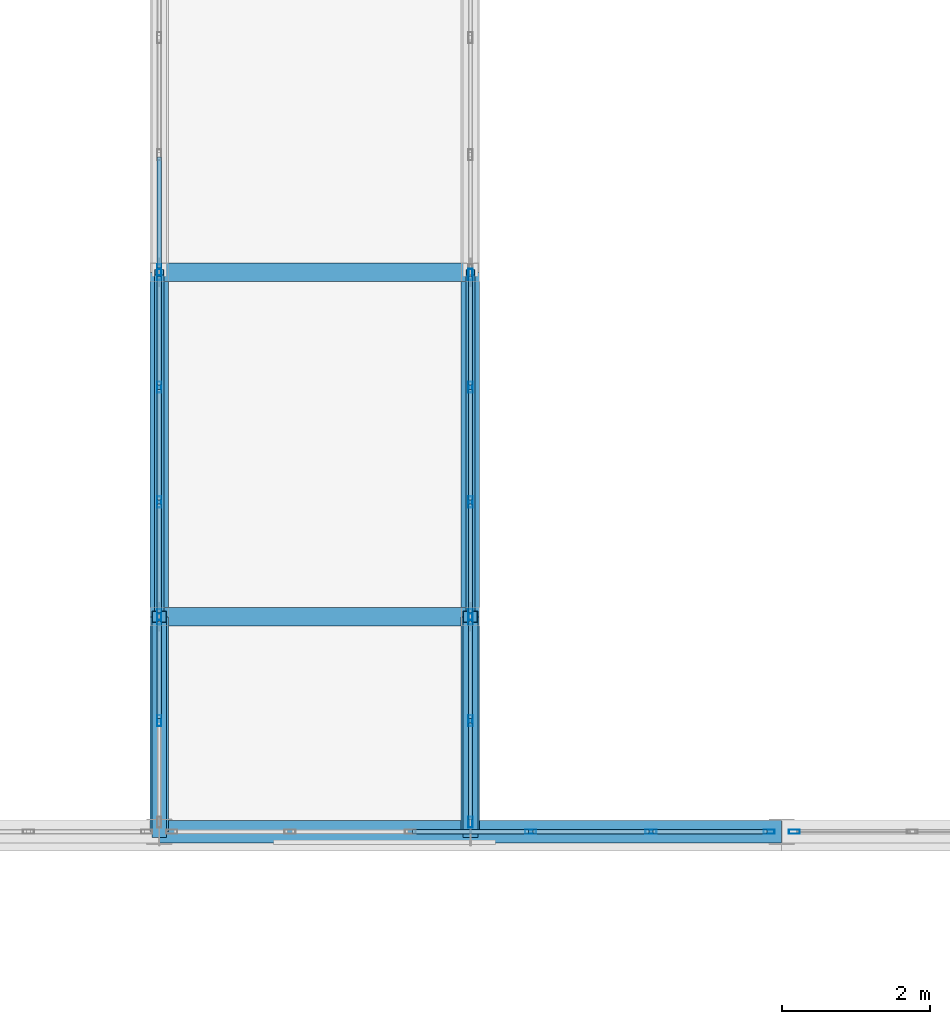
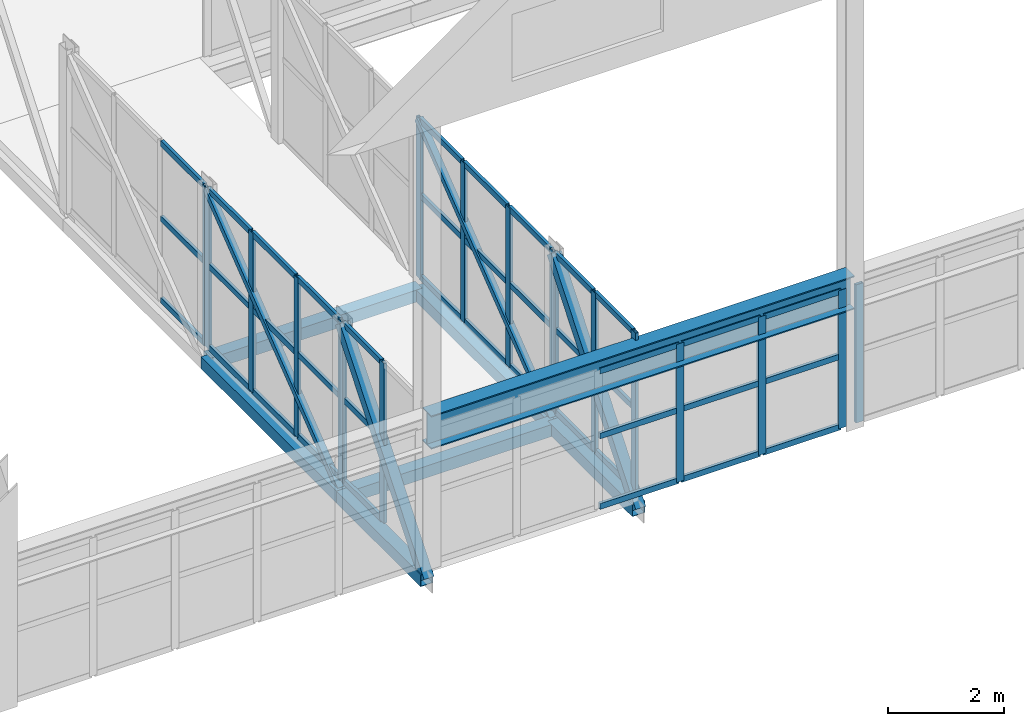
# One storey, part 81 of 218: 67 members, 1 beam, 7 elements without a shape of their own.
"""IFC4 building model written with IfcOpenShell, lengths in metres."""

from ifc_helpers import new_model, si_unit, direction, frame, origin, origin_2d, place, context, subcontext, project, spatial, hollow_rectangle, i_section, extrude, material, material_profile, profile_set, type_object, element, aggregate, save


model = new_model("IFC4")

# Units and contexts
model_context = context("Model", 3, precision=1e-05, world=origin(), true_north=direction((0.0, 1.0)))
body_context = subcontext(model_context, "Body", "Model", "MODEL_VIEW")
ifc_project = project(units=[si_unit("LENGTHUNIT", "METRE"), si_unit("AREAUNIT", "SQUARE_METRE"), si_unit("VOLUMEUNIT", "CUBIC_METRE"), si_unit("PLANEANGLEUNIT", "RADIAN"), si_unit("MASSUNIT", "GRAM", prefix="KILO")], contexts=[model_context])

# Site, building, storey
site_placement = place(None, origin())
site = spatial("IfcSite", under=ifc_project, at=site_placement, CompositionType="ELEMENT")
building_placement = place(site_placement, origin())
building = spatial("IfcBuilding", under=site, at=building_placement, Name="Kazenagashi Tramway Depot", CompositionType="ELEMENT")
storey_placement = place(building_placement, frame((0.0, 0.0, 6.0)))
storey = spatial("IfcBuildingStorey", under=building, at=storey_placement, Name="L02", CompositionType="ELEMENT", Elevation=6.0)

# Members
ifc_material_1 = material(Name="Steel STKR490", Category="steel")
ifc_material_profile_1 = material_profile(ifc_material_1, hollow_rectangle(XDim=0.2, YDim=0.2, WallThickness=0.009, at=origin_2d()), Name="SHS-200x200x9")
ifc_profile_set_1 = profile_set([ifc_material_profile_1], Name="Steel STKR490")
member_type_1 = type_object("IfcMemberType", Name="BR-01", PredefinedType="BRACE", material=ifc_profile_set_1)
for number, where, z_axis, x_axis, name in (
    (1, (86.8, 54.9, -0.305), (0.0, 0.625747040243, 0.78002605189), (-1.0, 0.0, 0.0), "Link Bridge Truss BR-01 MEM-1562"),
    (2, (91.0, 54.9, -0.305), (0.0, 0.625747040243, 0.78002605189), (-1.0, 0.0, 0.0), "Link Bridge Truss BR-01 MEM-1574"),
):
    element("IfcMember", number, at=place(storey_placement, frame(where, z_axis=z_axis, x_axis=x_axis)), inside=storey, type_object=member_type_1, Name=name, PredefinedType="BRACE", context=body_context, shape_type="SweptSolid", body=[
        extrude(hollow_rectangle(XDim=0.2, YDim=0.2, WallThickness=0.009, at=origin_2d()), origin(), (0.0, 0.0, 1.0), 4.634461),
    ])
ifc_material_2 = material(Name="Steel STKR400", Category="steel")
ifc_material_profile_2 = material_profile(ifc_material_2, hollow_rectangle(XDim=0.125, YDim=0.125, WallThickness=0.006, at=origin_2d()), Name="SHS-125x125x6")
ifc_profile_set_2 = profile_set([ifc_material_profile_2], Name="Steel STKR400")
member_type_2 = type_object("IfcMemberType", Name="BR-05", PredefinedType="BRACE", material=ifc_profile_set_2)
for number, where, z_axis, x_axis, name in (
    (3, (86.8, 57.8, -0.305), (0.0, 0.789489329827, 0.613764285446), (-1.0, 0.0, 0.0), "Link Bridge Truss BR-05 MEM-1565"),
    (4, (91.0, 57.8, -0.305), (0.0, 0.789489329827, 0.613764285446), (-1.0, 0.0, 0.0), "Link Bridge Truss BR-05 MEM-1577"),
):
    element("IfcMember", number, at=place(storey_placement, frame(where, z_axis=z_axis, x_axis=x_axis)), inside=storey, type_object=member_type_2, Name=name, PredefinedType="BRACE", context=body_context, shape_type="SweptSolid", body=[
        extrude(hollow_rectangle(XDim=0.125, YDim=0.125, WallThickness=0.006, at=origin_2d()), origin(), (0.0, 0.0, 1.0), 5.889883),
    ])

# Beam
ifc_material_3 = material(Name="Steel SN490B", Category="steel")
ifc_material_profile_3 = material_profile(ifc_material_3, i_section(OverallWidth=0.3, OverallDepth=0.7, WebThickness=0.013, FlangeThickness=0.024, at=origin_2d()), Name="H-700x300x13x24")
ifc_profile_set_3 = profile_set([ifc_material_profile_3], Name="Steel SN490B")
beam_type = type_object("IfcBeamType", Name="G-02", PredefinedType="BEAM", material=ifc_profile_set_3)
beam_placement = place(storey_placement, frame((86.8, 54.9, 2.85), z_axis=(1.0, 0.0, 0.0), x_axis=(0.0, 1.0, 0.0)))
element("IfcBeam", 5, at=beam_placement, inside=storey, type_object=beam_type, Name="Beam G-02 BM-1178", PredefinedType="BEAM", context=body_context, shape_type="SweptSolid", body=[
    extrude(i_section(OverallWidth=0.3, OverallDepth=0.7, WebThickness=0.013, FlangeThickness=0.024, at=origin_2d()), origin(), (0.0, 0.0, 1.0), 8.4),
])

# Curtain wall, members
ifc_material_4 = material(Name="Anodised Aluminium and Low-E Glazing", Category="aluminium")
curtain_wall_type_1 = type_object("IfcCurtainWallType", Name="CW-21", PredefinedType="USERDEFINED", material=ifc_material_4)
curtain_wall_1_placement = place(storey_placement, origin())
curtain_wall_1 = element("IfcCurtainWall", 6, at=curtain_wall_1_placement, inside=storey, type_object=curtain_wall_type_1, Name="Industrial Glazed Screen CW-21 CW-0112", ObjectType="GLAZED SCREEN", PredefinedType="USERDEFINED")
ifc_material_5 = material(Name="Anodised Aluminium", Category="aluminium")
ifc_material_profile_4 = material_profile(ifc_material_5, hollow_rectangle(XDim=0.06, YDim=0.15, WallThickness=0.004, at=origin_2d()), Name="RHS-150x60x4")
ifc_profile_set_4 = profile_set([ifc_material_profile_4], Name="Anodised Aluminium")
member_type_3 = type_object("IfcMemberType", Name="ML-01", PredefinedType="MULLION", material=ifc_profile_set_4)
member_1_placement = place(storey_placement, frame((91.812, 54.9, 0.0), z_axis=(0.0, 0.0, 1.0), x_axis=(0.0, 1.0, 0.0)))
member_1 = element("IfcMember", 7, at=member_1_placement, type_object=member_type_3, Name="CW-21 mullion 4", PredefinedType="MULLION", context=body_context, shape_type="SweptSolid", body=[
    extrude(hollow_rectangle(XDim=0.06, YDim=0.15, WallThickness=0.004, at=origin_2d()), origin(), (0.0, 0.0, 1.0), 2.9),
])
member_2_placement = place(storey_placement, frame((93.436, 54.9, 0.0), z_axis=(0.0, 0.0, 1.0), x_axis=(0.0, 1.0, 0.0)))
member_2 = element("IfcMember", 8, at=member_2_placement, type_object=member_type_3, Name="CW-21 mullion 5", PredefinedType="MULLION", context=body_context, shape_type="SweptSolid", body=[
    extrude(hollow_rectangle(XDim=0.06, YDim=0.15, WallThickness=0.004, at=origin_2d()), origin(), (0.0, 0.0, 1.0), 2.9),
])
member_3_placement = place(storey_placement, frame((95.03, 54.9, 0.0), z_axis=(0.0, 0.0, 1.0), x_axis=(0.0, 1.0, 0.0)))
member_3 = element("IfcMember", 9, at=member_3_placement, type_object=member_type_3, Name="CW-21 mullion 6", PredefinedType="MULLION", context=body_context, shape_type="SweptSolid", body=[
    extrude(hollow_rectangle(XDim=0.06, YDim=0.15, WallThickness=0.004, at=origin_2d()), origin(), (0.0, 0.0, 1.0), 2.9),
])

# Curtain wall, member
curtain_wall_2_placement = place(storey_placement, origin())
curtain_wall_2 = element("IfcCurtainWall", 10, at=curtain_wall_2_placement, inside=storey, type_object=curtain_wall_type_1, Name="Industrial Glazed Screen CW-21 CW-0113", ObjectType="GLAZED SCREEN", PredefinedType="USERDEFINED")
member_4_placement = place(storey_placement, frame((95.37, 54.9, 0.0), z_axis=(0.0, 0.0, 1.0), x_axis=(0.0, 1.0, 0.0)))
member_4 = element("IfcMember", 11, at=member_4_placement, type_object=member_type_3, Name="CW-21 mullion 1", PredefinedType="MULLION", context=body_context, shape_type="SweptSolid", body=[
    extrude(hollow_rectangle(XDim=0.06, YDim=0.15, WallThickness=0.004, at=origin_2d()), origin(), (0.0, 0.0, 1.0), 2.9),
])
aggregate(curtain_wall_2, [member_4])

# Curtain wall, members
curtain_wall_type_2 = type_object("IfcCurtainWallType", Name="CW-27", PredefinedType="USERDEFINED", material=ifc_material_4)
curtain_wall_3_placement = place(storey_placement, origin())
curtain_wall_3 = element("IfcCurtainWall", 12, at=curtain_wall_3_placement, inside=storey, type_object=curtain_wall_type_2, Name="Industrial Glazed Screen CW-27 CW-0151", ObjectType="GLAZED SCREEN", PredefinedType="USERDEFINED")
member_5_placement = place(storey_placement, frame((86.8, 56.4, 0.0), z_axis=(0.0, 0.0, 1.0), x_axis=(-1.0, 0.0, 0.0)))
member_5 = element("IfcMember", 13, at=member_5_placement, type_object=member_type_3, Name="CW-27 mullion 2", PredefinedType="MULLION", context=body_context, shape_type="SweptSolid", body=[
    extrude(hollow_rectangle(XDim=0.06, YDim=0.15, WallThickness=0.004, at=origin_2d()), origin(), (0.0, 0.0, 1.0), 3.35),
])
member_6_placement = place(storey_placement, frame((86.8, 57.77, 0.0), z_axis=(0.0, 0.0, 1.0), x_axis=(-1.0, 0.0, 0.0)))
member_6 = element("IfcMember", 14, at=member_6_placement, type_object=member_type_3, Name="CW-27 mullion 3", PredefinedType="MULLION", context=body_context, shape_type="SweptSolid", body=[
    extrude(hollow_rectangle(XDim=0.06, YDim=0.15, WallThickness=0.004, at=origin_2d()), origin(), (0.0, 0.0, 1.0), 3.35),
])

curtain_wall_type_3 = type_object("IfcCurtainWallType", Name="CW-28", PredefinedType="USERDEFINED", material=ifc_material_4)
curtain_wall_4_placement = place(storey_placement, origin())
curtain_wall_4 = element("IfcCurtainWall", 15, at=curtain_wall_4_placement, inside=storey, type_object=curtain_wall_type_3, Name="Industrial Glazed Screen CW-28 CW-0152", ObjectType="GLAZED SCREEN", PredefinedType="USERDEFINED")
member_7_placement = place(storey_placement, frame((86.8, 57.83, 0.0), z_axis=(0.0, 0.0, 1.0), x_axis=(-1.0, 0.0, 0.0)))
member_7 = element("IfcMember", 16, at=member_7_placement, type_object=member_type_3, Name="CW-28 mullion 1", PredefinedType="MULLION", context=body_context, shape_type="SweptSolid", body=[
    extrude(hollow_rectangle(XDim=0.06, YDim=0.15, WallThickness=0.004, at=origin_2d()), origin(), (0.0, 0.0, 1.0), 3.35),
])
member_8_placement = place(storey_placement, frame((86.8, 59.35, 0.0), z_axis=(0.0, 0.0, 1.0), x_axis=(-1.0, 0.0, 0.0)))
member_8 = element("IfcMember", 17, at=member_8_placement, type_object=member_type_3, Name="CW-28 mullion 2", PredefinedType="MULLION", context=body_context, shape_type="SweptSolid", body=[
    extrude(hollow_rectangle(XDim=0.06, YDim=0.15, WallThickness=0.004, at=origin_2d()), origin(), (0.0, 0.0, 1.0), 3.35),
])
member_9_placement = place(storey_placement, frame((86.8, 60.9, 0.0), z_axis=(0.0, 0.0, 1.0), x_axis=(-1.0, 0.0, 0.0)))
member_9 = element("IfcMember", 18, at=member_9_placement, type_object=member_type_3, Name="CW-28 mullion 3", PredefinedType="MULLION", context=body_context, shape_type="SweptSolid", body=[
    extrude(hollow_rectangle(XDim=0.06, YDim=0.15, WallThickness=0.004, at=origin_2d()), origin(), (0.0, 0.0, 1.0), 3.35),
])
member_10_placement = place(storey_placement, frame((86.8, 62.42, 0.0), z_axis=(0.0, 0.0, 1.0), x_axis=(-1.0, 0.0, 0.0)))
member_10 = element("IfcMember", 19, at=member_10_placement, type_object=member_type_3, Name="CW-28 mullion 4", PredefinedType="MULLION", context=body_context, shape_type="SweptSolid", body=[
    extrude(hollow_rectangle(XDim=0.06, YDim=0.15, WallThickness=0.004, at=origin_2d()), origin(), (0.0, 0.0, 1.0), 3.35),
])

# Curtain wall, member
curtain_wall_type_4 = type_object("IfcCurtainWallType", Name="CW-29", PredefinedType="USERDEFINED", material=ifc_material_4)
curtain_wall_5_placement = place(storey_placement, origin())
curtain_wall_5 = element("IfcCurtainWall", 20, at=curtain_wall_5_placement, inside=storey, type_object=curtain_wall_type_4, Name="Industrial Glazed Screen CW-29 CW-0153", ObjectType="GLAZED SCREEN", PredefinedType="USERDEFINED")
member_11_placement = place(storey_placement, frame((86.8, 62.48, 0.0), z_axis=(0.0, 0.0, 1.0), x_axis=(-1.0, 0.0, 0.0)))
member_11 = element("IfcMember", 21, at=member_11_placement, type_object=member_type_3, Name="CW-29 mullion 1", PredefinedType="MULLION", context=body_context, shape_type="SweptSolid", body=[
    extrude(hollow_rectangle(XDim=0.06, YDim=0.15, WallThickness=0.004, at=origin_2d()), origin(), (0.0, 0.0, 1.0), 3.35),
])

# Curtain wall, members
curtain_wall_6_placement = place(storey_placement, origin())
curtain_wall_6 = element("IfcCurtainWall", 22, at=curtain_wall_6_placement, inside=storey, type_object=curtain_wall_type_2, Name="Industrial Glazed Screen CW-27 CW-0154", ObjectType="GLAZED SCREEN", PredefinedType="USERDEFINED")
member_12_placement = place(storey_placement, frame((91.0, 55.03, 0.0), z_axis=(0.0, 0.0, 1.0), x_axis=(-1.0, 0.0, 0.0)))
member_12 = element("IfcMember", 23, at=member_12_placement, type_object=member_type_3, Name="CW-27 mullion 1", PredefinedType="MULLION", context=body_context, shape_type="SweptSolid", body=[
    extrude(hollow_rectangle(XDim=0.06, YDim=0.15, WallThickness=0.004, at=origin_2d()), origin(), (0.0, 0.0, 1.0), 3.35),
])
member_13_placement = place(storey_placement, frame((91.0, 56.4, 0.0), z_axis=(0.0, 0.0, 1.0), x_axis=(-1.0, 0.0, 0.0)))
member_13 = element("IfcMember", 24, at=member_13_placement, type_object=member_type_3, Name="CW-27 mullion 2", PredefinedType="MULLION", context=body_context, shape_type="SweptSolid", body=[
    extrude(hollow_rectangle(XDim=0.06, YDim=0.15, WallThickness=0.004, at=origin_2d()), origin(), (0.0, 0.0, 1.0), 3.35),
])
member_14_placement = place(storey_placement, frame((91.0, 57.77, 0.0), z_axis=(0.0, 0.0, 1.0), x_axis=(-1.0, 0.0, 0.0)))
member_14 = element("IfcMember", 25, at=member_14_placement, type_object=member_type_3, Name="CW-27 mullion 3", PredefinedType="MULLION", context=body_context, shape_type="SweptSolid", body=[
    extrude(hollow_rectangle(XDim=0.06, YDim=0.15, WallThickness=0.004, at=origin_2d()), origin(), (0.0, 0.0, 1.0), 3.35),
])

curtain_wall_7_placement = place(storey_placement, origin())
curtain_wall_7 = element("IfcCurtainWall", 26, at=curtain_wall_7_placement, inside=storey, type_object=curtain_wall_type_3, Name="Industrial Glazed Screen CW-28 CW-0155", ObjectType="GLAZED SCREEN", PredefinedType="USERDEFINED")
member_15_placement = place(storey_placement, frame((91.0, 57.83, 0.0), z_axis=(0.0, 0.0, 1.0), x_axis=(-1.0, 0.0, 0.0)))
member_15 = element("IfcMember", 27, at=member_15_placement, type_object=member_type_3, Name="CW-28 mullion 1", PredefinedType="MULLION", context=body_context, shape_type="SweptSolid", body=[
    extrude(hollow_rectangle(XDim=0.06, YDim=0.15, WallThickness=0.004, at=origin_2d()), origin(), (0.0, 0.0, 1.0), 3.35),
])
member_16_placement = place(storey_placement, frame((91.0, 59.35, 0.0), z_axis=(0.0, 0.0, 1.0), x_axis=(-1.0, 0.0, 0.0)))
member_16 = element("IfcMember", 28, at=member_16_placement, type_object=member_type_3, Name="CW-28 mullion 2", PredefinedType="MULLION", context=body_context, shape_type="SweptSolid", body=[
    extrude(hollow_rectangle(XDim=0.06, YDim=0.15, WallThickness=0.004, at=origin_2d()), origin(), (0.0, 0.0, 1.0), 3.35),
])
member_17_placement = place(storey_placement, frame((91.0, 60.9, 0.0), z_axis=(0.0, 0.0, 1.0), x_axis=(-1.0, 0.0, 0.0)))
member_17 = element("IfcMember", 29, at=member_17_placement, type_object=member_type_3, Name="CW-28 mullion 3", PredefinedType="MULLION", context=body_context, shape_type="SweptSolid", body=[
    extrude(hollow_rectangle(XDim=0.06, YDim=0.15, WallThickness=0.004, at=origin_2d()), origin(), (0.0, 0.0, 1.0), 3.35),
])
member_18_placement = place(storey_placement, frame((91.0, 62.42, 0.0), z_axis=(0.0, 0.0, 1.0), x_axis=(-1.0, 0.0, 0.0)))
member_18 = element("IfcMember", 30, at=member_18_placement, type_object=member_type_3, Name="CW-28 mullion 4", PredefinedType="MULLION", context=body_context, shape_type="SweptSolid", body=[
    extrude(hollow_rectangle(XDim=0.06, YDim=0.15, WallThickness=0.004, at=origin_2d()), origin(), (0.0, 0.0, 1.0), 3.35),
])

# Members
ifc_material_6 = material(Name="Weathering Steel SMA490W", Category="steel")
ifc_material_profile_5 = material_profile(ifc_material_6, hollow_rectangle(XDim=0.25, YDim=0.25, WallThickness=0.009, at=origin_2d()), Name="SHS-250x250x9")
ifc_profile_set_5 = profile_set([ifc_material_profile_5], Name="Weathering Steel SMA490W")
member_type_4 = type_object("IfcMemberType", Name="TC-04", PredefinedType="CHORD", material=ifc_profile_set_5)
member_19_placement = place(storey_placement, frame((86.8, 54.9, -0.305), z_axis=(0.0, 1.0, 0.0), x_axis=(-1.0, 0.0, 0.0)))
element("IfcMember", 31, at=member_19_placement, inside=storey, type_object=member_type_4, Name="Link Bridge Truss TC-04 MEM-1560", PredefinedType="CHORD", context=body_context, shape_type="SweptSolid", body=[
    extrude(hollow_rectangle(XDim=0.25, YDim=0.25, WallThickness=0.009, at=origin_2d()), origin(), (0.0, 0.0, 1.0), 2.9),
])
member_20_placement = place(storey_placement, frame((86.8, 57.8, -0.305), z_axis=(0.0, 1.0, 0.0), x_axis=(-1.0, 0.0, 0.0)))
element("IfcMember", 32, at=member_20_placement, inside=storey, type_object=member_type_4, Name="Link Bridge Truss TC-04 MEM-1563", PredefinedType="CHORD", context=body_context, shape_type="SweptSolid", body=[
    extrude(hollow_rectangle(XDim=0.25, YDim=0.25, WallThickness=0.009, at=origin_2d()), origin(), (0.0, 0.0, 1.0), 4.65),
])
member_21_placement = place(storey_placement, frame((91.0, 54.9, -0.305), z_axis=(0.0, 1.0, 0.0), x_axis=(-1.0, 0.0, 0.0)))
element("IfcMember", 33, at=member_21_placement, inside=storey, type_object=member_type_4, Name="Link Bridge Truss TC-04 MEM-1572", PredefinedType="CHORD", context=body_context, shape_type="SweptSolid", body=[
    extrude(hollow_rectangle(XDim=0.25, YDim=0.25, WallThickness=0.009, at=origin_2d()), origin(), (0.0, 0.0, 1.0), 2.9),
])
member_22_placement = place(storey_placement, frame((91.0, 57.8, -0.305), z_axis=(0.0, 1.0, 0.0), x_axis=(-1.0, 0.0, 0.0)))
element("IfcMember", 34, at=member_22_placement, inside=storey, type_object=member_type_4, Name="Link Bridge Truss TC-04 MEM-1575", PredefinedType="CHORD", context=body_context, shape_type="SweptSolid", body=[
    extrude(hollow_rectangle(XDim=0.25, YDim=0.25, WallThickness=0.009, at=origin_2d()), origin(), (0.0, 0.0, 1.0), 4.65),
])
for number, where, z_axis, x_axis, name in (
    (35, (86.8, 57.8, -0.305), (1.0, 0.0, 0.0), (0.0, 1.0, 0.0), "Link Bridge Truss TC-04 MEM-1584"),
    (36, (86.8, 62.45, -0.305), (1.0, 0.0, 0.0), (0.0, 1.0, 0.0), "Link Bridge Truss TC-04 MEM-1586"),
):
    element("IfcMember", number, at=place(storey_placement, frame(where, z_axis=z_axis, x_axis=x_axis)), inside=storey, type_object=member_type_4, Name=name, PredefinedType="CHORD", context=body_context, shape_type="SweptSolid", body=[
        extrude(hollow_rectangle(XDim=0.25, YDim=0.25, WallThickness=0.009, at=origin_2d()), origin(), (0.0, 0.0, 1.0), 4.2),
    ])

# Member
ifc_material_profile_6 = material_profile(ifc_material_5, hollow_rectangle(XDim=0.06, YDim=0.12, WallThickness=0.004, at=origin_2d()), Name="RHS-120x60x4")
ifc_profile_set_6 = profile_set([ifc_material_profile_6], Name="Anodised Aluminium")
member_type_5 = type_object("IfcMemberType", Name="TR-01", PredefinedType="USERDEFINED", material=ifc_profile_set_6)
member_23_placement = place(storey_placement, frame((90.218, 54.9, 0.03), z_axis=(1.0, 0.0, 0.0), x_axis=(0.0, 1.0, 0.0)))
member_23 = element("IfcMember", 37, at=member_23_placement, type_object=member_type_5, Name="CW-21 transom 3.1", ObjectType="TRANSOM", PredefinedType="USERDEFINED", context=body_context, shape_type="SweptSolid", body=[
    extrude(hollow_rectangle(XDim=0.06, YDim=0.12, WallThickness=0.004, at=origin_2d()), origin(), (0.0, 0.0, 1.0), 1.564),
])

member_24_placement = place(storey_placement, frame((90.218, 54.9, 1.508), z_axis=(1.0, 0.0, 0.0), x_axis=(0.0, 1.0, 0.0)))
member_24 = element("IfcMember", 38, at=member_24_placement, type_object=member_type_5, Name="CW-21 transom 3.2", ObjectType="TRANSOM", PredefinedType="USERDEFINED", context=body_context, shape_type="SweptSolid", body=[
    extrude(hollow_rectangle(XDim=0.06, YDim=0.12, WallThickness=0.004, at=origin_2d()), origin(), (0.0, 0.0, 1.0), 1.564),
])

member_25_placement = place(storey_placement, frame((90.218, 54.9, 2.87), z_axis=(1.0, 0.0, 0.0), x_axis=(0.0, 1.0, 0.0)))
member_25 = element("IfcMember", 39, at=member_25_placement, type_object=member_type_5, Name="CW-21 transom 3.3", ObjectType="TRANSOM", PredefinedType="USERDEFINED", context=body_context, shape_type="SweptSolid", body=[
    extrude(hollow_rectangle(XDim=0.06, YDim=0.12, WallThickness=0.004, at=origin_2d()), origin(), (0.0, 0.0, 1.0), 1.564),
])

member_26_placement = place(storey_placement, frame((91.842, 54.9, 0.03), z_axis=(1.0, 0.0, 0.0), x_axis=(0.0, 1.0, 0.0)))
member_26 = element("IfcMember", 40, at=member_26_placement, type_object=member_type_5, Name="CW-21 transom 4.1", ObjectType="TRANSOM", PredefinedType="USERDEFINED", context=body_context, shape_type="SweptSolid", body=[
    extrude(hollow_rectangle(XDim=0.06, YDim=0.12, WallThickness=0.004, at=origin_2d()), origin(), (0.0, 0.0, 1.0), 1.564),
])

member_27_placement = place(storey_placement, frame((91.842, 54.9, 1.508), z_axis=(1.0, 0.0, 0.0), x_axis=(0.0, 1.0, 0.0)))
member_27 = element("IfcMember", 41, at=member_27_placement, type_object=member_type_5, Name="CW-21 transom 4.2", ObjectType="TRANSOM", PredefinedType="USERDEFINED", context=body_context, shape_type="SweptSolid", body=[
    extrude(hollow_rectangle(XDim=0.06, YDim=0.12, WallThickness=0.004, at=origin_2d()), origin(), (0.0, 0.0, 1.0), 1.564),
])

member_28_placement = place(storey_placement, frame((91.842, 54.9, 2.87), z_axis=(1.0, 0.0, 0.0), x_axis=(0.0, 1.0, 0.0)))
member_28 = element("IfcMember", 42, at=member_28_placement, type_object=member_type_5, Name="CW-21 transom 4.3", ObjectType="TRANSOM", PredefinedType="USERDEFINED", context=body_context, shape_type="SweptSolid", body=[
    extrude(hollow_rectangle(XDim=0.06, YDim=0.12, WallThickness=0.004, at=origin_2d()), origin(), (0.0, 0.0, 1.0), 1.564),
])

member_29_placement = place(storey_placement, frame((93.466, 54.9, 0.03), z_axis=(1.0, 0.0, 0.0), x_axis=(0.0, 1.0, 0.0)))
member_29 = element("IfcMember", 43, at=member_29_placement, type_object=member_type_5, Name="CW-21 transom 5.1", ObjectType="TRANSOM", PredefinedType="USERDEFINED", context=body_context, shape_type="SweptSolid", body=[
    extrude(hollow_rectangle(XDim=0.06, YDim=0.12, WallThickness=0.004, at=origin_2d()), origin(), (0.0, 0.0, 1.0), 1.534),
])

member_30_placement = place(storey_placement, frame((93.466, 54.9, 1.508), z_axis=(1.0, 0.0, 0.0), x_axis=(0.0, 1.0, 0.0)))
member_30 = element("IfcMember", 44, at=member_30_placement, type_object=member_type_5, Name="CW-21 transom 5.2", ObjectType="TRANSOM", PredefinedType="USERDEFINED", context=body_context, shape_type="SweptSolid", body=[
    extrude(hollow_rectangle(XDim=0.06, YDim=0.12, WallThickness=0.004, at=origin_2d()), origin(), (0.0, 0.0, 1.0), 1.534),
])

member_31_placement = place(storey_placement, frame((93.466, 54.9, 2.87), z_axis=(1.0, 0.0, 0.0), x_axis=(0.0, 1.0, 0.0)))
member_31 = element("IfcMember", 45, at=member_31_placement, type_object=member_type_5, Name="CW-21 transom 5.3", ObjectType="TRANSOM", PredefinedType="USERDEFINED", context=body_context, shape_type="SweptSolid", body=[
    extrude(hollow_rectangle(XDim=0.06, YDim=0.12, WallThickness=0.004, at=origin_2d()), origin(), (0.0, 0.0, 1.0), 1.534),
])

aggregate(curtain_wall_1, [member_1, member_2, member_3, member_23, member_24, member_25, member_26, member_27, member_28, member_29, member_30, member_31])

member_32_placement = place(storey_placement, frame((86.8, 56.43, 0.03), z_axis=(0.0, 1.0, 0.0), x_axis=(-1.0, 0.0, 0.0)))
member_32 = element("IfcMember", 46, at=member_32_placement, type_object=member_type_5, Name="CW-27 transom 2.1", ObjectType="TRANSOM", PredefinedType="USERDEFINED", context=body_context, shape_type="SweptSolid", body=[
    extrude(hollow_rectangle(XDim=0.06, YDim=0.12, WallThickness=0.004, at=origin_2d()), origin(), (0.0, 0.0, 1.0), 1.31),
])

member_33_placement = place(storey_placement, frame((86.8, 56.43, 1.742), z_axis=(0.0, 1.0, 0.0), x_axis=(-1.0, 0.0, 0.0)))
member_33 = element("IfcMember", 47, at=member_33_placement, type_object=member_type_5, Name="CW-27 transom 2.2", ObjectType="TRANSOM", PredefinedType="USERDEFINED", context=body_context, shape_type="SweptSolid", body=[
    extrude(hollow_rectangle(XDim=0.06, YDim=0.12, WallThickness=0.004, at=origin_2d()), origin(), (0.0, 0.0, 1.0), 1.31),
])

member_34_placement = place(storey_placement, frame((86.8, 56.43, 3.32), z_axis=(0.0, 1.0, 0.0), x_axis=(-1.0, 0.0, 0.0)))
member_34 = element("IfcMember", 48, at=member_34_placement, type_object=member_type_5, Name="CW-27 transom 2.3", ObjectType="TRANSOM", PredefinedType="USERDEFINED", context=body_context, shape_type="SweptSolid", body=[
    extrude(hollow_rectangle(XDim=0.06, YDim=0.12, WallThickness=0.004, at=origin_2d()), origin(), (0.0, 0.0, 1.0), 1.31),
])

aggregate(curtain_wall_3, [member_5, member_6, member_32, member_33, member_34])

member_35_placement = place(storey_placement, frame((86.8, 57.86, 0.03), z_axis=(0.0, 1.0, 0.0), x_axis=(-1.0, 0.0, 0.0)))
member_35 = element("IfcMember", 49, at=member_35_placement, type_object=member_type_5, Name="CW-28 transom 1.1", ObjectType="TRANSOM", PredefinedType="USERDEFINED", context=body_context, shape_type="SweptSolid", body=[
    extrude(hollow_rectangle(XDim=0.06, YDim=0.12, WallThickness=0.004, at=origin_2d()), origin(), (0.0, 0.0, 1.0), 1.46),
])

member_36_placement = place(storey_placement, frame((86.8, 57.86, 1.742), z_axis=(0.0, 1.0, 0.0), x_axis=(-1.0, 0.0, 0.0)))
member_36 = element("IfcMember", 50, at=member_36_placement, type_object=member_type_5, Name="CW-28 transom 1.2", ObjectType="TRANSOM", PredefinedType="USERDEFINED", context=body_context, shape_type="SweptSolid", body=[
    extrude(hollow_rectangle(XDim=0.06, YDim=0.12, WallThickness=0.004, at=origin_2d()), origin(), (0.0, 0.0, 1.0), 1.46),
])

member_37_placement = place(storey_placement, frame((86.8, 57.86, 3.32), z_axis=(0.0, 1.0, 0.0), x_axis=(-1.0, 0.0, 0.0)))
member_37 = element("IfcMember", 51, at=member_37_placement, type_object=member_type_5, Name="CW-28 transom 1.3", ObjectType="TRANSOM", PredefinedType="USERDEFINED", context=body_context, shape_type="SweptSolid", body=[
    extrude(hollow_rectangle(XDim=0.06, YDim=0.12, WallThickness=0.004, at=origin_2d()), origin(), (0.0, 0.0, 1.0), 1.46),
])

member_38_placement = place(storey_placement, frame((86.8, 59.38, 0.03), z_axis=(0.0, 1.0, 0.0), x_axis=(-1.0, 0.0, 0.0)))
member_38 = element("IfcMember", 52, at=member_38_placement, type_object=member_type_5, Name="CW-28 transom 2.1", ObjectType="TRANSOM", PredefinedType="USERDEFINED", context=body_context, shape_type="SweptSolid", body=[
    extrude(hollow_rectangle(XDim=0.06, YDim=0.12, WallThickness=0.004, at=origin_2d()), origin(), (0.0, 0.0, 1.0), 1.49),
])

member_39_placement = place(storey_placement, frame((86.8, 59.38, 1.742), z_axis=(0.0, 1.0, 0.0), x_axis=(-1.0, 0.0, 0.0)))
member_39 = element("IfcMember", 53, at=member_39_placement, type_object=member_type_5, Name="CW-28 transom 2.2", ObjectType="TRANSOM", PredefinedType="USERDEFINED", context=body_context, shape_type="SweptSolid", body=[
    extrude(hollow_rectangle(XDim=0.06, YDim=0.12, WallThickness=0.004, at=origin_2d()), origin(), (0.0, 0.0, 1.0), 1.49),
])

member_40_placement = place(storey_placement, frame((86.8, 59.38, 3.32), z_axis=(0.0, 1.0, 0.0), x_axis=(-1.0, 0.0, 0.0)))
member_40 = element("IfcMember", 54, at=member_40_placement, type_object=member_type_5, Name="CW-28 transom 2.3", ObjectType="TRANSOM", PredefinedType="USERDEFINED", context=body_context, shape_type="SweptSolid", body=[
    extrude(hollow_rectangle(XDim=0.06, YDim=0.12, WallThickness=0.004, at=origin_2d()), origin(), (0.0, 0.0, 1.0), 1.49),
])

member_41_placement = place(storey_placement, frame((86.8, 60.93, 0.03), z_axis=(0.0, 1.0, 0.0), x_axis=(-1.0, 0.0, 0.0)))
member_41 = element("IfcMember", 55, at=member_41_placement, type_object=member_type_5, Name="CW-28 transom 3.1", ObjectType="TRANSOM", PredefinedType="USERDEFINED", context=body_context, shape_type="SweptSolid", body=[
    extrude(hollow_rectangle(XDim=0.06, YDim=0.12, WallThickness=0.004, at=origin_2d()), origin(), (0.0, 0.0, 1.0), 1.46),
])

member_42_placement = place(storey_placement, frame((86.8, 60.93, 1.742), z_axis=(0.0, 1.0, 0.0), x_axis=(-1.0, 0.0, 0.0)))
member_42 = element("IfcMember", 56, at=member_42_placement, type_object=member_type_5, Name="CW-28 transom 3.2", ObjectType="TRANSOM", PredefinedType="USERDEFINED", context=body_context, shape_type="SweptSolid", body=[
    extrude(hollow_rectangle(XDim=0.06, YDim=0.12, WallThickness=0.004, at=origin_2d()), origin(), (0.0, 0.0, 1.0), 1.46),
])

member_43_placement = place(storey_placement, frame((86.8, 60.93, 3.32), z_axis=(0.0, 1.0, 0.0), x_axis=(-1.0, 0.0, 0.0)))
member_43 = element("IfcMember", 57, at=member_43_placement, type_object=member_type_5, Name="CW-28 transom 3.3", ObjectType="TRANSOM", PredefinedType="USERDEFINED", context=body_context, shape_type="SweptSolid", body=[
    extrude(hollow_rectangle(XDim=0.06, YDim=0.12, WallThickness=0.004, at=origin_2d()), origin(), (0.0, 0.0, 1.0), 1.46),
])

aggregate(curtain_wall_4, [member_7, member_8, member_9, member_10, member_35, member_36, member_37, member_38, member_39, member_40, member_41, member_42, member_43])

member_44_placement = place(storey_placement, frame((86.8, 62.51, 0.03), z_axis=(0.0, 1.0, 0.0), x_axis=(-1.0, 0.0, 0.0)))
member_44 = element("IfcMember", 58, at=member_44_placement, type_object=member_type_5, Name="CW-29 transom 1.1", ObjectType="TRANSOM", PredefinedType="USERDEFINED", context=body_context, shape_type="SweptSolid", body=[
    extrude(hollow_rectangle(XDim=0.06, YDim=0.12, WallThickness=0.004, at=origin_2d()), origin(), (0.0, 0.0, 1.0), 1.493333),
])

member_45_placement = place(storey_placement, frame((86.8, 62.51, 1.742), z_axis=(0.0, 1.0, 0.0), x_axis=(-1.0, 0.0, 0.0)))
member_45 = element("IfcMember", 59, at=member_45_placement, type_object=member_type_5, Name="CW-29 transom 1.2", ObjectType="TRANSOM", PredefinedType="USERDEFINED", context=body_context, shape_type="SweptSolid", body=[
    extrude(hollow_rectangle(XDim=0.06, YDim=0.12, WallThickness=0.004, at=origin_2d()), origin(), (0.0, 0.0, 1.0), 1.493333),
])

member_46_placement = place(storey_placement, frame((86.8, 62.51, 3.32), z_axis=(0.0, 1.0, 0.0), x_axis=(-1.0, 0.0, 0.0)))
member_46 = element("IfcMember", 60, at=member_46_placement, type_object=member_type_5, Name="CW-29 transom 1.3", ObjectType="TRANSOM", PredefinedType="USERDEFINED", context=body_context, shape_type="SweptSolid", body=[
    extrude(hollow_rectangle(XDim=0.06, YDim=0.12, WallThickness=0.004, at=origin_2d()), origin(), (0.0, 0.0, 1.0), 1.493333),
])

aggregate(curtain_wall_5, [member_11, member_44, member_45, member_46])

member_47_placement = place(storey_placement, frame((91.0, 55.06, 0.03), z_axis=(0.0, 1.0, 0.0), x_axis=(-1.0, 0.0, 0.0)))
member_47 = element("IfcMember", 61, at=member_47_placement, type_object=member_type_5, Name="CW-27 transom 1.1", ObjectType="TRANSOM", PredefinedType="USERDEFINED", context=body_context, shape_type="SweptSolid", body=[
    extrude(hollow_rectangle(XDim=0.06, YDim=0.12, WallThickness=0.004, at=origin_2d()), origin(), (0.0, 0.0, 1.0), 1.31),
])

member_48_placement = place(storey_placement, frame((91.0, 55.06, 1.742), z_axis=(0.0, 1.0, 0.0), x_axis=(-1.0, 0.0, 0.0)))
member_48 = element("IfcMember", 62, at=member_48_placement, type_object=member_type_5, Name="CW-27 transom 1.2", ObjectType="TRANSOM", PredefinedType="USERDEFINED", context=body_context, shape_type="SweptSolid", body=[
    extrude(hollow_rectangle(XDim=0.06, YDim=0.12, WallThickness=0.004, at=origin_2d()), origin(), (0.0, 0.0, 1.0), 1.31),
])

member_49_placement = place(storey_placement, frame((91.0, 55.06, 3.32), z_axis=(0.0, 1.0, 0.0), x_axis=(-1.0, 0.0, 0.0)))
member_49 = element("IfcMember", 63, at=member_49_placement, type_object=member_type_5, Name="CW-27 transom 1.3", ObjectType="TRANSOM", PredefinedType="USERDEFINED", context=body_context, shape_type="SweptSolid", body=[
    extrude(hollow_rectangle(XDim=0.06, YDim=0.12, WallThickness=0.004, at=origin_2d()), origin(), (0.0, 0.0, 1.0), 1.31),
])

member_50_placement = place(storey_placement, frame((91.0, 56.43, 0.03), z_axis=(0.0, 1.0, 0.0), x_axis=(-1.0, 0.0, 0.0)))
member_50 = element("IfcMember", 64, at=member_50_placement, type_object=member_type_5, Name="CW-27 transom 2.1", ObjectType="TRANSOM", PredefinedType="USERDEFINED", context=body_context, shape_type="SweptSolid", body=[
    extrude(hollow_rectangle(XDim=0.06, YDim=0.12, WallThickness=0.004, at=origin_2d()), origin(), (0.0, 0.0, 1.0), 1.31),
])

member_51_placement = place(storey_placement, frame((91.0, 56.43, 1.742), z_axis=(0.0, 1.0, 0.0), x_axis=(-1.0, 0.0, 0.0)))
member_51 = element("IfcMember", 65, at=member_51_placement, type_object=member_type_5, Name="CW-27 transom 2.2", ObjectType="TRANSOM", PredefinedType="USERDEFINED", context=body_context, shape_type="SweptSolid", body=[
    extrude(hollow_rectangle(XDim=0.06, YDim=0.12, WallThickness=0.004, at=origin_2d()), origin(), (0.0, 0.0, 1.0), 1.31),
])

member_52_placement = place(storey_placement, frame((91.0, 56.43, 3.32), z_axis=(0.0, 1.0, 0.0), x_axis=(-1.0, 0.0, 0.0)))
member_52 = element("IfcMember", 66, at=member_52_placement, type_object=member_type_5, Name="CW-27 transom 2.3", ObjectType="TRANSOM", PredefinedType="USERDEFINED", context=body_context, shape_type="SweptSolid", body=[
    extrude(hollow_rectangle(XDim=0.06, YDim=0.12, WallThickness=0.004, at=origin_2d()), origin(), (0.0, 0.0, 1.0), 1.31),
])

aggregate(curtain_wall_6, [member_12, member_13, member_14, member_47, member_48, member_49, member_50, member_51, member_52])

member_53_placement = place(storey_placement, frame((91.0, 57.86, 0.03), z_axis=(0.0, 1.0, 0.0), x_axis=(-1.0, 0.0, 0.0)))
member_53 = element("IfcMember", 67, at=member_53_placement, type_object=member_type_5, Name="CW-28 transom 1.1", ObjectType="TRANSOM", PredefinedType="USERDEFINED", context=body_context, shape_type="SweptSolid", body=[
    extrude(hollow_rectangle(XDim=0.06, YDim=0.12, WallThickness=0.004, at=origin_2d()), origin(), (0.0, 0.0, 1.0), 1.46),
])

member_54_placement = place(storey_placement, frame((91.0, 57.86, 1.742), z_axis=(0.0, 1.0, 0.0), x_axis=(-1.0, 0.0, 0.0)))
member_54 = element("IfcMember", 68, at=member_54_placement, type_object=member_type_5, Name="CW-28 transom 1.2", ObjectType="TRANSOM", PredefinedType="USERDEFINED", context=body_context, shape_type="SweptSolid", body=[
    extrude(hollow_rectangle(XDim=0.06, YDim=0.12, WallThickness=0.004, at=origin_2d()), origin(), (0.0, 0.0, 1.0), 1.46),
])

member_55_placement = place(storey_placement, frame((91.0, 57.86, 3.32), z_axis=(0.0, 1.0, 0.0), x_axis=(-1.0, 0.0, 0.0)))
member_55 = element("IfcMember", 69, at=member_55_placement, type_object=member_type_5, Name="CW-28 transom 1.3", ObjectType="TRANSOM", PredefinedType="USERDEFINED", context=body_context, shape_type="SweptSolid", body=[
    extrude(hollow_rectangle(XDim=0.06, YDim=0.12, WallThickness=0.004, at=origin_2d()), origin(), (0.0, 0.0, 1.0), 1.46),
])

member_56_placement = place(storey_placement, frame((91.0, 59.38, 0.03), z_axis=(0.0, 1.0, 0.0), x_axis=(-1.0, 0.0, 0.0)))
member_56 = element("IfcMember", 70, at=member_56_placement, type_object=member_type_5, Name="CW-28 transom 2.1", ObjectType="TRANSOM", PredefinedType="USERDEFINED", context=body_context, shape_type="SweptSolid", body=[
    extrude(hollow_rectangle(XDim=0.06, YDim=0.12, WallThickness=0.004, at=origin_2d()), origin(), (0.0, 0.0, 1.0), 1.49),
])

member_57_placement = place(storey_placement, frame((91.0, 59.38, 1.742), z_axis=(0.0, 1.0, 0.0), x_axis=(-1.0, 0.0, 0.0)))
member_57 = element("IfcMember", 71, at=member_57_placement, type_object=member_type_5, Name="CW-28 transom 2.2", ObjectType="TRANSOM", PredefinedType="USERDEFINED", context=body_context, shape_type="SweptSolid", body=[
    extrude(hollow_rectangle(XDim=0.06, YDim=0.12, WallThickness=0.004, at=origin_2d()), origin(), (0.0, 0.0, 1.0), 1.49),
])

member_58_placement = place(storey_placement, frame((91.0, 59.38, 3.32), z_axis=(0.0, 1.0, 0.0), x_axis=(-1.0, 0.0, 0.0)))
member_58 = element("IfcMember", 72, at=member_58_placement, type_object=member_type_5, Name="CW-28 transom 2.3", ObjectType="TRANSOM", PredefinedType="USERDEFINED", context=body_context, shape_type="SweptSolid", body=[
    extrude(hollow_rectangle(XDim=0.06, YDim=0.12, WallThickness=0.004, at=origin_2d()), origin(), (0.0, 0.0, 1.0), 1.49),
])

member_59_placement = place(storey_placement, frame((91.0, 60.93, 0.03), z_axis=(0.0, 1.0, 0.0), x_axis=(-1.0, 0.0, 0.0)))
member_59 = element("IfcMember", 73, at=member_59_placement, type_object=member_type_5, Name="CW-28 transom 3.1", ObjectType="TRANSOM", PredefinedType="USERDEFINED", context=body_context, shape_type="SweptSolid", body=[
    extrude(hollow_rectangle(XDim=0.06, YDim=0.12, WallThickness=0.004, at=origin_2d()), origin(), (0.0, 0.0, 1.0), 1.46),
])

member_60_placement = place(storey_placement, frame((91.0, 60.93, 1.742), z_axis=(0.0, 1.0, 0.0), x_axis=(-1.0, 0.0, 0.0)))
member_60 = element("IfcMember", 74, at=member_60_placement, type_object=member_type_5, Name="CW-28 transom 3.2", ObjectType="TRANSOM", PredefinedType="USERDEFINED", context=body_context, shape_type="SweptSolid", body=[
    extrude(hollow_rectangle(XDim=0.06, YDim=0.12, WallThickness=0.004, at=origin_2d()), origin(), (0.0, 0.0, 1.0), 1.46),
])

member_61_placement = place(storey_placement, frame((91.0, 60.93, 3.32), z_axis=(0.0, 1.0, 0.0), x_axis=(-1.0, 0.0, 0.0)))
member_61 = element("IfcMember", 75, at=member_61_placement, type_object=member_type_5, Name="CW-28 transom 3.3", ObjectType="TRANSOM", PredefinedType="USERDEFINED", context=body_context, shape_type="SweptSolid", body=[
    extrude(hollow_rectangle(XDim=0.06, YDim=0.12, WallThickness=0.004, at=origin_2d()), origin(), (0.0, 0.0, 1.0), 1.46),
])

aggregate(curtain_wall_7, [member_15, member_16, member_17, member_18, member_53, member_54, member_55, member_56, member_57, member_58, member_59, member_60, member_61])

save(model, "model.ifc")
